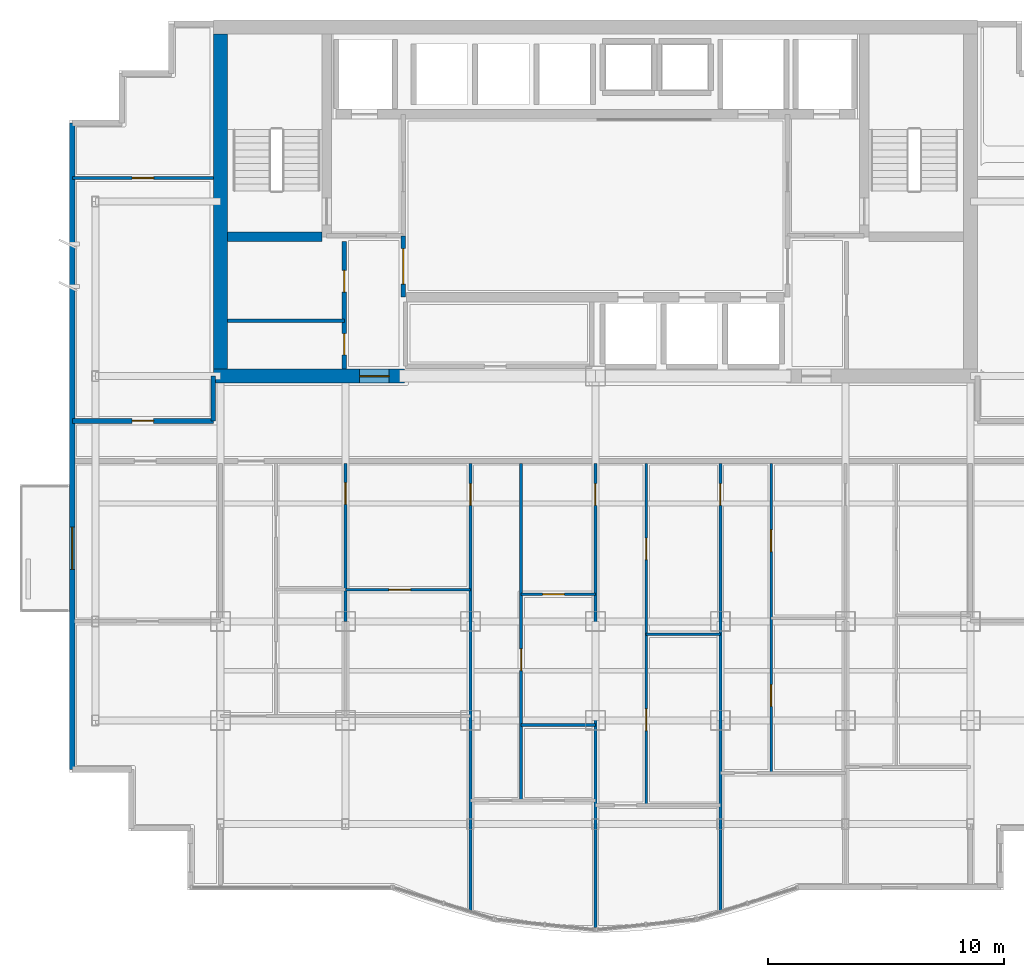
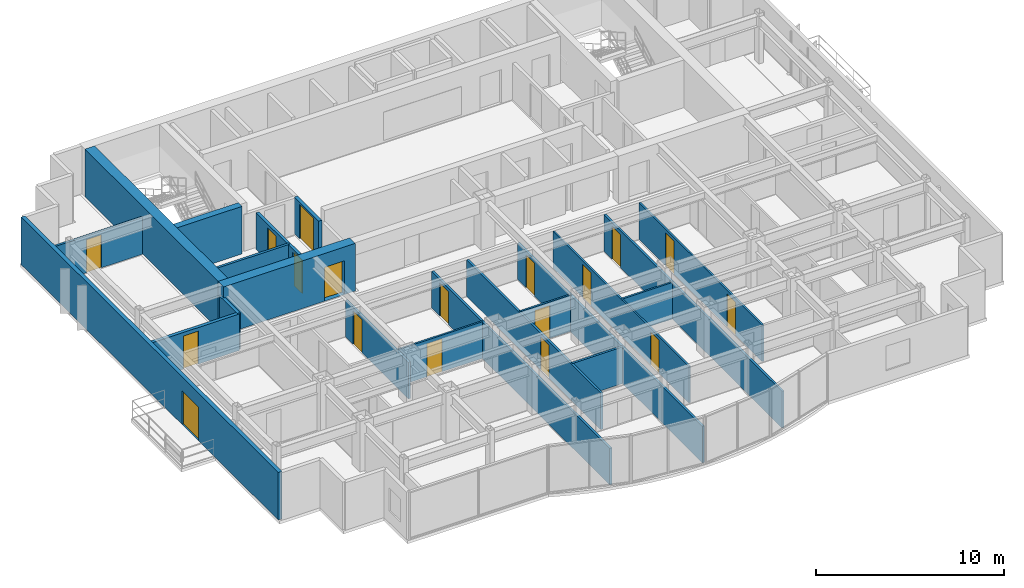
# One storey, part 6 of 11: 21 walls, 18 doors, 18 openings.
"""IFC4 building model written with IfcOpenShell, lengths in metres."""

from ifc_helpers import new_model, si_unit, direction, frame, frame_2d, origin, place, context, subcontext, project, spatial, rectangle, extrude, material, layer, layer_set, type_object, element, fill, save


model = new_model("IFC4")

# Units and contexts
model_context = context("Model", 3, precision=1e-05, world=origin(), true_north=direction((0.0, 1.0)))
body_context = subcontext(model_context, "Body", "Model", "MODEL_VIEW")
ifc_project = project(units=[si_unit("LENGTHUNIT", "METRE"), si_unit("AREAUNIT", "SQUARE_METRE"), si_unit("VOLUMEUNIT", "CUBIC_METRE"), si_unit("PLANEANGLEUNIT", "RADIAN"), si_unit("MASSUNIT", "GRAM", prefix="KILO")], contexts=[model_context])

# Site, building, storey
site_placement = place(None, origin())
site = spatial("IfcSite", under=ifc_project, at=site_placement, CompositionType="ELEMENT")
building_placement = place(site_placement, origin())
building = spatial("IfcBuilding", under=site, at=building_placement, Name="Qianlan Lanfeng Residences", CompositionType="ELEMENT")
storey_placement = place(building_placement, frame((0.0, 0.0, 175.5)))
storey = spatial("IfcBuildingStorey", under=building, at=storey_placement, Name="L48", CompositionType="ELEMENT", Elevation=175.5)

# Walls
ifc_material_1 = material(Name="Concrete C56", Category="concrete")
ifc_layer_1 = layer(ifc_material_1, 0.39990234375)
ifc_layer_set_1 = layer_set([ifc_layer_1], Name="Concrete C56")
wall_type_1 = type_object("IfcWallType", Name="CW-RC-400", PredefinedType="SHEAR", material=ifc_layer_set_1)
wall_1_placement = place(storey_placement, frame((10.89990234375, 31.10009765625, 0.0), z_axis=(0.0, 0.0, 1.0), x_axis=(1.0, 0.0, 0.0)))
element("IfcWall", 1, at=wall_1_placement, inside=storey, type_object=wall_type_1, Name="L48 Core Shear Wall ST1S", PredefinedType="SHEAR", context=body_context, shape_type="SweptSolid", body=[
    extrude(rectangle(XDim=4.0, YDim=0.39990234375, at=frame_2d((2.0, 0.0))), origin(), (0.0, 0.0, 1.0), 3.10009765625),
])
ifc_layer_2 = layer(ifc_material_1, 0.60009765625)
ifc_layer_set_2 = layer_set([ifc_layer_2], Name="Concrete C56")
wall_type_2 = type_object("IfcWallType", Name="CW-RC-600", PredefinedType="SHEAR", material=ifc_layer_set_2)
wall_2_placement = place(storey_placement, frame((10.60009765625, 25.5, 0.0), z_axis=(0.0, 0.0, 1.0), x_axis=(0.0, 1.0, 0.0)))
element("IfcWall", 2, at=wall_2_placement, inside=storey, type_object=wall_type_2, Name="L48 Core Shear Wall W", PredefinedType="SHEAR", context=body_context, shape_type="SweptSolid", body=[
    extrude(rectangle(XDim=14.199951171875, YDim=0.60009765625, at=frame_2d((7.10009765625, 0.0))), origin(), (0.0, 0.0, 1.0), 3.10009765625),
])

# Wall, opening, door
wall_3_placement = place(storey_placement, frame((10.300048828125, 25.199951171875, 0.0), z_axis=(0.0, 0.0, 1.0), x_axis=(1.0, 0.0, 0.0)))
wall_3 = element("IfcWall", 3, at=wall_3_placement, inside=storey, type_object=wall_type_2, Name="L48 Core Shear Wall SW", PredefinedType="SHEAR", context=body_context, shape_type="SweptSolid", body=[
    extrude(rectangle(XDim=8.099853515625, YDim=0.60009765625, at=frame_2d((4.0498046875, 0.0))), origin(), (0.0, 0.0, 1.0), 3.10009765625),
])
opening_1_placement = place(wall_3_placement, frame((6.199951171875, 0.0, 0.0)))
opening_1 = element("IfcOpeningElement", 4, at=opening_1_placement, cuts=wall_3, Name="Opening L48-D01", PredefinedType="OPENING", context=body_context, shape_type="SweptSolid", body=[
    extrude(rectangle(XDim=1.25, YDim=2.199951171875, at=frame_2d((0.625, 1.10009765625))), frame((0.0, 0.31005859375, 0.0), z_axis=(0.0, -1.0, 0.0), x_axis=(1.0, 0.0, 0.0)), (0.0, 0.0, 1.0), 0.6201171875),
])
ifc_material_2 = material(Name="Painted Galvanised Steel Fire Door", Category="steel")
door_type_1 = type_object("IfcDoorType", Name="DT-FFL", OperationType="NOTDEFINED", PredefinedType="DOOR", material=ifc_material_2)
door_1_placement = place(opening_1_placement, origin())
door_1 = element("IfcDoor", 5, at=door_1_placement, inside=storey, type_object=door_type_1, Name="L48 West Core Lobby Smoke Door L48-D01 (DT-FFL)", OperationType="SINGLE_SWING_RIGHT", OverallHeight=2.199951171875, OverallWidth=1.25, PredefinedType="DOOR", context=body_context, shape_type="SweptSolid", body=[
    extrude(rectangle(XDim=1.25, YDim=2.199951171875, at=frame_2d((0.625, 1.10009765625))), frame((0.0, 0.02490234375, 0.0), z_axis=(0.0, -1.0, 0.0), x_axis=(1.0, 0.0, 0.0)), (0.0, 0.0, 1.0), 0.050048828125),
])
fill(opening_1, door_1)

ifc_material_3 = material(Name="Concrete C42", Category="concrete")
ifc_layer_3 = layer(ifc_material_3, 0.239990234375)
ifc_layer_set_3 = layer_set([ifc_layer_3], Name="Concrete C42")
wall_type_3 = type_object("IfcWallType", Name="EW-240", PredefinedType="SOLIDWALL", material=ifc_layer_set_3)
wall_4_placement = place(storey_placement, frame((4.320068359375, 35.929931640625, 0.0), z_axis=(0.0, 0.0, 1.0), x_axis=(0.0, -1.0, 0.0)))
wall_4 = element("IfcWall", 6, at=wall_4_placement, inside=storey, type_object=wall_type_3, Name="L48 Terrace/Balcony Access Exterior Wall 21", PredefinedType="SOLIDWALL", context=body_context, shape_type="SweptSolid", body=[
    extrude(rectangle(XDim=27.409912109375, YDim=0.239990234375, at=frame_2d((13.705078125, 0.0))), origin(), (0.0, 0.0, 1.0), 3.10009765625),
])
opening_2_placement = place(wall_4_placement, frame((17.1298828125, 0.0, 0.0)))
opening_2 = element("IfcOpeningElement", 7, at=opening_2_placement, cuts=wall_4, Name="Opening L48-D-WB-S", PredefinedType="OPENING", context=body_context, shape_type="SweptSolid", body=[
    extrude(rectangle(XDim=1.800048828125, YDim=2.199951171875, at=frame_2d((0.89990234375, 1.10009765625))), frame((0.0, 0.1298828125, 0.0), z_axis=(0.0, -1.0, 0.0), x_axis=(1.0, 0.0, 0.0)), (0.0, 0.0, 1.0), 0.260009765625),
])
ifc_material_4 = material(Name="Anodised Bronze Aluminium Framed Glass", Category="aluminium")
door_type_2 = type_object("IfcDoorType", Name="DT-BAL1", OperationType="NOTDEFINED", PredefinedType="DOOR", material=ifc_material_4)
door_2_placement = place(opening_2_placement, frame((1.800048828125, 0.0, 0.0), z_axis=(0.0, 0.0, 1.0), x_axis=(-1.0, 0.0, 0.0)))
door_2 = element("IfcDoor", 8, at=door_2_placement, inside=storey, type_object=door_type_2, Name="L48 Exterior Access Door WB-S", OperationType="DOUBLE_DOOR_SLIDING", OverallHeight=2.199951171875, OverallWidth=1.800048828125, PredefinedType="DOOR", context=body_context, shape_type="SweptSolid", body=[
    extrude(rectangle(XDim=1.800048828125, YDim=2.199951171875, at=frame_2d((0.89990234375, 1.10009765625))), frame((0.0, 0.02490234375, 0.0), z_axis=(0.0, -1.0, 0.0), x_axis=(1.0, 0.0, 0.0)), (0.0, 0.0, 1.0), 0.050048828125),
])
fill(opening_2, door_2)

ifc_material_5 = material(Name="Demountable Acoustic Framing Partition 110 mm")
ifc_layer_4 = layer(ifc_material_5, 0.110107421875)
ifc_layer_set_4 = layer_set([ifc_layer_4], Name="Demountable Acoustic Framing Partition 110 mm")
wall_type_4 = type_object("IfcWallType", Name="PW-110", PredefinedType="MOVABLE", material=ifc_layer_set_4)
wall_5_placement = place(storey_placement, frame((15.89990234375, 16.14501953125, 0.0), z_axis=(0.0, 0.0, 1.0), x_axis=(1.0, 0.0, 0.0)))
wall_5 = element("IfcWall", 9, at=wall_5_placement, inside=storey, type_object=wall_type_4, Name="L48 U01 Study Split", PredefinedType="MOVABLE", context=body_context, shape_type="SweptSolid", body=[
    extrude(rectangle(XDim=5.300048828125, YDim=0.110107421875, at=frame_2d((2.64990234375, 0.0))), origin(), (0.0, 0.0, 1.0), 2.3798828125),
])
opening_3_placement = place(wall_5_placement, frame((1.840087890625, 0.0, 0.0)))
opening_3 = element("IfcOpeningElement", 10, at=opening_3_placement, cuts=wall_5, Name="Opening L48-D24", PredefinedType="OPENING", context=body_context, shape_type="SweptSolid", body=[
    extrude(rectangle(XDim=0.919921875, YDim=2.14990234375, at=frame_2d((0.4599609375, 1.074951171875))), frame((0.0, 0.06494140625, 0.0), z_axis=(0.0, -1.0, 0.0), x_axis=(1.0, 0.0, 0.0)), (0.0, 0.0, 1.0), 0.130126953125),
])
ifc_material_6 = material(Name="Glazed Timber Kitchen/Study Door", Category="wood")
door_type_3 = type_object("IfcDoorType", Name="DT-INT", OperationType="NOTDEFINED", PredefinedType="DOOR", material=ifc_material_6)
door_3_placement = place(opening_3_placement, origin())
door_3 = element("IfcDoor", 11, at=door_3_placement, inside=storey, type_object=door_type_3, Name="L48 U01 Study Inner Door L48-D24 (DT-INT)", OperationType="SINGLE_SWING_LEFT", OverallHeight=2.14990234375, OverallWidth=0.919921875, PredefinedType="DOOR", context=body_context, shape_type="SweptSolid", body=[
    extrude(rectangle(XDim=0.919921875, YDim=2.14990234375, at=frame_2d((0.4599609375, 1.074951171875))), frame((0.0, 0.02490234375, 0.0), z_axis=(0.0, -1.0, 0.0), x_axis=(1.0, 0.0, 0.0)), (0.0, 0.0, 1.0), 0.050048828125),
])
fill(opening_3, door_3)

wall_6_placement = place(storey_placement, frame((23.35009765625, 15.949951171875, 0.0), z_axis=(0.0, 0.0, 1.0), x_axis=(1.0, 0.0, 0.0)))
wall_6 = element("IfcWall", 12, at=wall_6_placement, inside=storey, type_object=wall_type_4, Name="L48 U01 Wardrobe Split", PredefinedType="MOVABLE", context=body_context, shape_type="SweptSolid", body=[
    extrude(rectangle(XDim=3.14990234375, YDim=0.110107421875, at=frame_2d((1.574951171875, 0.0))), origin(), (0.0, 0.0, 1.0), 2.3798828125),
])
opening_4_placement = place(wall_6_placement, frame((0.9150390625, 0.0, 0.0)))
opening_4 = element("IfcOpeningElement", 13, at=opening_4_placement, cuts=wall_6, Name="Opening L48-D28", PredefinedType="OPENING", context=body_context, shape_type="SweptSolid", body=[
    extrude(rectangle(XDim=0.919921875, YDim=2.14990234375, at=frame_2d((0.4599609375, 1.074951171875))), frame((0.0, 0.06494140625, 0.0), z_axis=(0.0, -1.0, 0.0), x_axis=(1.0, 0.0, 0.0)), (0.0, 0.0, 1.0), 0.130126953125),
])
door_4_placement = place(opening_4_placement, origin())
door_4 = element("IfcDoor", 14, at=door_4_placement, inside=storey, type_object=door_type_3, Name="L48 U01 Dressing Inner Door L48-D28 (DT-INT)", OperationType="SINGLE_SWING_LEFT", OverallHeight=2.14990234375, OverallWidth=0.919921875, PredefinedType="DOOR", context=body_context, shape_type="SweptSolid", body=[
    extrude(rectangle(XDim=0.919921875, YDim=2.14990234375, at=frame_2d((0.4599609375, 1.074951171875))), frame((0.0, 0.02490234375, 0.0), z_axis=(0.0, -1.0, 0.0), x_axis=(1.0, 0.0, 0.0)), (0.0, 0.0, 1.0), 0.050048828125),
])
fill(opening_4, door_4)

# Wall, openings, doors
wall_7_placement = place(storey_placement, frame((28.64990234375, 6.9990234375, 0.0), z_axis=(0.0, 0.0, 1.0), x_axis=(0.0, 1.0, 0.0)))
wall_7 = element("IfcWall", 15, at=wall_7_placement, inside=storey, type_object=wall_type_4, Name="L48 U01 Bedroom 3 Hall Wall", PredefinedType="MOVABLE", context=body_context, shape_type="SweptSolid", body=[
    extrude(rectangle(XDim=14.5009765625, YDim=0.110107421875, at=frame_2d((7.25048828125, 0.0))), origin(), (0.0, 0.0, 1.0), 2.3798828125),
])
opening_5_placement = place(wall_7_placement, frame((3.1650390625, 0.0, 0.0)))
opening_5 = element("IfcOpeningElement", 16, at=opening_5_placement, cuts=wall_7, Name="Opening L48-D30", PredefinedType="OPENING", context=body_context, shape_type="SweptSolid", body=[
    extrude(rectangle(XDim=0.919921875, YDim=2.14990234375, at=frame_2d((0.4599609375, 1.074951171875))), frame((0.0, 0.06494140625, 0.0), z_axis=(0.0, -1.0, 0.0), x_axis=(1.0, 0.0, 0.0)), (0.0, 0.0, 1.0), 0.130126953125),
])
opening_6_placement = place(wall_7_placement, frame((10.4150390625, 0.0, 0.0)))
opening_6 = element("IfcOpeningElement", 17, at=opening_6_placement, cuts=wall_7, Name="Opening L48-D31", PredefinedType="OPENING", context=body_context, shape_type="SweptSolid", body=[
    extrude(rectangle(XDim=0.919921875, YDim=2.14990234375, at=frame_2d((0.4599609375, 1.074951171875))), frame((0.0, 0.06494140625, 0.0), z_axis=(0.0, -1.0, 0.0), x_axis=(1.0, 0.0, 0.0)), (0.0, 0.0, 1.0), 0.130126953125),
])
door_5_placement = place(opening_5_placement, origin())
door_5 = element("IfcDoor", 18, at=door_5_placement, inside=storey, type_object=door_type_3, Name="L48 U01 Utility Door L48-D30 (DT-INT)", OperationType="SINGLE_SWING_LEFT", OverallHeight=2.14990234375, OverallWidth=0.919921875, PredefinedType="DOOR", context=body_context, shape_type="SweptSolid", body=[
    extrude(rectangle(XDim=0.919921875, YDim=2.14990234375, at=frame_2d((0.4599609375, 1.074951171875))), frame((0.0, 0.02490234375, 0.0), z_axis=(0.0, -1.0, 0.0), x_axis=(1.0, 0.0, 0.0)), (0.0, 0.0, 1.0), 0.050048828125),
])
fill(opening_5, door_5)
door_6_placement = place(opening_6_placement, origin())
door_6 = element("IfcDoor", 19, at=door_6_placement, inside=storey, type_object=door_type_3, Name="L48 U01 Specialty Door L48-D31 (DT-INT)", OperationType="SINGLE_SWING_RIGHT", OverallHeight=2.14990234375, OverallWidth=0.919921875, PredefinedType="DOOR", context=body_context, shape_type="SweptSolid", body=[
    extrude(rectangle(XDim=0.919921875, YDim=2.14990234375, at=frame_2d((0.4599609375, 1.074951171875))), frame((0.0, 0.02490234375, 0.0), z_axis=(0.0, -1.0, 0.0), x_axis=(1.0, 0.0, 0.0)), (0.0, 0.0, 1.0), 0.050048828125),
])
fill(opening_6, door_6)

# Wall
wall_8_placement = place(storey_placement, frame((28.64990234375, 14.2490234375, 0.0), z_axis=(0.0, 0.0, 1.0), x_axis=(1.0, 0.0, 0.0)))
element("IfcWall", 20, at=wall_8_placement, inside=storey, type_object=wall_type_4, Name="L48 U01 Specialty Split Wall", PredefinedType="MOVABLE", context=body_context, shape_type="SweptSolid", body=[
    extrude(rectangle(XDim=3.150146484375, YDim=0.110107421875, at=frame_2d((1.5751953125, 0.0))), origin(), (0.0, 0.0, 1.0), 2.3798828125),
])

# Wall, openings, doors
wall_9_placement = place(storey_placement, frame((33.949951171875, 8.3740234375, 0.0), z_axis=(0.0, 0.0, 1.0), x_axis=(0.0, 1.0, 0.0)))
wall_9 = element("IfcWall", 21, at=wall_9_placement, inside=storey, type_object=wall_type_4, Name="L48 U01 Bedroom 4 Hall Wall", PredefinedType="MOVABLE", context=body_context, shape_type="SweptSolid", body=[
    extrude(rectangle(XDim=13.1259765625, YDim=0.110107421875, at=frame_2d((6.56298828125, 0.0))), origin(), (0.0, 0.0, 1.0), 2.3798828125),
])
opening_7_placement = place(wall_9_placement, frame((2.821044921875, 0.0, 0.0)))
opening_7 = element("IfcOpeningElement", 22, at=opening_7_placement, cuts=wall_9, Name="Opening L48-D33", PredefinedType="OPENING", context=body_context, shape_type="SweptSolid", body=[
    extrude(rectangle(XDim=0.919921875, YDim=2.14990234375, at=frame_2d((0.4599609375, 1.074951171875))), frame((0.0, 0.06494140625, 0.0), z_axis=(0.0, -1.0, 0.0), x_axis=(1.0, 0.0, 0.0)), (0.0, 0.0, 1.0), 0.130126953125),
])
opening_8_placement = place(wall_9_placement, frame((9.385009765625, 0.0, 0.0)))
opening_8 = element("IfcOpeningElement", 23, at=opening_8_placement, cuts=wall_9, Name="Opening L48-D34", PredefinedType="OPENING", context=body_context, shape_type="SweptSolid", body=[
    extrude(rectangle(XDim=0.919921875, YDim=2.14990234375, at=frame_2d((0.4599609375, 1.074951171875))), frame((0.0, 0.06494140625, 0.0), z_axis=(0.0, -1.0, 0.0), x_axis=(1.0, 0.0, 0.0)), (0.0, 0.0, 1.0), 0.130126953125),
])
door_7_placement = place(opening_7_placement, origin())
door_7 = element("IfcDoor", 24, at=door_7_placement, inside=storey, type_object=door_type_3, Name="L48 U01 Utility Door L48-D33 (DT-INT)", OperationType="SINGLE_SWING_RIGHT", OverallHeight=2.14990234375, OverallWidth=0.919921875, PredefinedType="DOOR", context=body_context, shape_type="SweptSolid", body=[
    extrude(rectangle(XDim=0.919921875, YDim=2.14990234375, at=frame_2d((0.4599609375, 1.074951171875))), frame((0.0, 0.02490234375, 0.0), z_axis=(0.0, -1.0, 0.0), x_axis=(1.0, 0.0, 0.0)), (0.0, 0.0, 1.0), 0.050048828125),
])
fill(opening_7, door_7)
door_8_placement = place(opening_8_placement, origin())
door_8 = element("IfcDoor", 25, at=door_8_placement, inside=storey, type_object=door_type_3, Name="L48 U01 Specialty Door L48-D34 (DT-INT)", OperationType="SINGLE_SWING_LEFT", OverallHeight=2.14990234375, OverallWidth=0.919921875, PredefinedType="DOOR", context=body_context, shape_type="SweptSolid", body=[
    extrude(rectangle(XDim=0.919921875, YDim=2.14990234375, at=frame_2d((0.4599609375, 1.074951171875))), frame((0.0, 0.02490234375, 0.0), z_axis=(0.0, -1.0, 0.0), x_axis=(1.0, 0.0, 0.0)), (0.0, 0.0, 1.0), 0.050048828125),
])
fill(opening_8, door_8)

# Wall, opening, door
ifc_material_7 = material(Name="Moisture-Resistant Gypsum Partition 135 mm")
ifc_layer_5 = layer(ifc_material_7, 0.135009765625)
ifc_layer_set_5 = layer_set([ifc_layer_5], Name="Moisture-Resistant Gypsum Partition 135 mm")
wall_type_5 = type_object("IfcWallType", Name="PW-135", PredefinedType="PARTITIONING", material=ifc_layer_set_5)
wall_10_placement = place(storey_placement, frame((15.89990234375, 14.800048828125, 0.0), z_axis=(0.0, 0.0, 1.0), x_axis=(0.0, 1.0, 0.0)))
wall_10 = element("IfcWall", 26, at=wall_10_placement, inside=storey, type_object=wall_type_5, Name="L48 U01 North Spine Wall", PredefinedType="PARTITIONING", context=body_context, shape_type="SweptSolid", body=[
    extrude(rectangle(XDim=6.699951171875, YDim=0.135009765625, at=frame_2d((3.35009765625, 0.0))), origin(), (0.0, 0.0, 1.0), 2.3798828125),
])
opening_9_placement = place(wall_10_placement, frame((4.965087890625, 0.0, 0.0)))
opening_9 = element("IfcOpeningElement", 27, at=opening_9_placement, cuts=wall_10, Name="Opening L48-D16", PredefinedType="OPENING", context=body_context, shape_type="SweptSolid", body=[
    extrude(rectangle(XDim=0.919921875, YDim=2.14990234375, at=frame_2d((0.4599609375, 1.074951171875))), frame((0.0, 0.07763671875, 0.0), z_axis=(0.0, -1.0, 0.0), x_axis=(1.0, 0.0, 0.0)), (0.0, 0.0, 1.0), 0.155029296875),
])
door_9_placement = place(opening_9_placement, origin())
door_9 = element("IfcDoor", 28, at=door_9_placement, inside=storey, type_object=door_type_3, Name="L48 U01 North Suite Door L48-D16 (DT-INT)", OperationType="SINGLE_SWING_LEFT", OverallHeight=2.14990234375, OverallWidth=0.919921875, PredefinedType="DOOR", context=body_context, shape_type="SweptSolid", body=[
    extrude(rectangle(XDim=0.919921875, YDim=2.14990234375, at=frame_2d((0.4599609375, 1.074951171875))), frame((0.0, 0.02490234375, 0.0), z_axis=(0.0, -1.0, 0.0), x_axis=(1.0, 0.0, 0.0)), (0.0, 0.0, 1.0), 0.050048828125),
])
fill(opening_9, door_9)

wall_11_placement = place(storey_placement, frame((21.199951171875, 2.508056640625, 0.0), z_axis=(0.0, 0.0, 1.0), x_axis=(0.0, 1.0, 0.0)))
wall_11 = element("IfcWall", 29, at=wall_11_placement, inside=storey, type_object=wall_type_5, Name="L48 U01 Bay Spine Wall 2", PredefinedType="PARTITIONING", context=body_context, shape_type="SweptSolid", body=[
    extrude(rectangle(XDim=18.991943359375, YDim=0.135009765625, at=frame_2d((9.49609375, 0.0))), origin(), (0.0, 0.0, 1.0), 2.3798828125),
])
opening_10_placement = place(wall_11_placement, frame((17.20703125, 0.0, 0.0)))
opening_10 = element("IfcOpeningElement", 30, at=opening_10_placement, cuts=wall_11, Name="Opening L48-D17", PredefinedType="OPENING", context=body_context, shape_type="SweptSolid", body=[
    extrude(rectangle(XDim=0.919921875, YDim=2.14990234375, at=frame_2d((0.4599609375, 1.074951171875))), frame((0.0, 0.07763671875, 0.0), z_axis=(0.0, -1.0, 0.0), x_axis=(1.0, 0.0, 0.0)), (0.0, 0.0, 1.0), 0.155029296875),
])
door_10_placement = place(opening_10_placement, origin())
door_10 = element("IfcDoor", 31, at=door_10_placement, inside=storey, type_object=door_type_3, Name="L48 U01 Internal Hall Door L48-D17 (DT-INT)", OperationType="SINGLE_SWING_RIGHT", OverallHeight=2.14990234375, OverallWidth=0.919921875, PredefinedType="DOOR", context=body_context, shape_type="SweptSolid", body=[
    extrude(rectangle(XDim=0.919921875, YDim=2.14990234375, at=frame_2d((0.4599609375, 1.074951171875))), frame((0.0, 0.02490234375, 0.0), z_axis=(0.0, -1.0, 0.0), x_axis=(1.0, 0.0, 0.0)), (0.0, 0.0, 1.0), 0.050048828125),
])
fill(opening_10, door_10)

wall_12_placement = place(storey_placement, frame((26.5, 1.820068359375, 0.0), z_axis=(0.0, 0.0, 1.0), x_axis=(0.0, 1.0, 0.0)))
wall_12 = element("IfcWall", 32, at=wall_12_placement, inside=storey, type_object=wall_type_5, Name="L48 U01 Bay Spine Wall 3", PredefinedType="PARTITIONING", context=body_context, shape_type="SweptSolid", body=[
    extrude(rectangle(XDim=19.679931640625, YDim=0.135009765625, at=frame_2d((9.83984375, 0.0))), origin(), (0.0, 0.0, 1.0), 2.3798828125),
])
opening_11_placement = place(wall_12_placement, frame((17.89501953125, 0.0, 0.0)))
opening_11 = element("IfcOpeningElement", 33, at=opening_11_placement, cuts=wall_12, Name="Opening L48-D18", PredefinedType="OPENING", context=body_context, shape_type="SweptSolid", body=[
    extrude(rectangle(XDim=0.919921875, YDim=2.14990234375, at=frame_2d((0.4599609375, 1.074951171875))), frame((0.0, 0.07763671875, 0.0), z_axis=(0.0, -1.0, 0.0), x_axis=(1.0, 0.0, 0.0)), (0.0, 0.0, 1.0), 0.155029296875),
])
door_11_placement = place(opening_11_placement, origin())
door_11 = element("IfcDoor", 34, at=door_11_placement, inside=storey, type_object=door_type_3, Name="L48 U01 Internal Hall Door L48-D18 (DT-INT)", OperationType="SINGLE_SWING_LEFT", OverallHeight=2.14990234375, OverallWidth=0.919921875, PredefinedType="DOOR", context=body_context, shape_type="SweptSolid", body=[
    extrude(rectangle(XDim=0.919921875, YDim=2.14990234375, at=frame_2d((0.4599609375, 1.074951171875))), frame((0.0, 0.02490234375, 0.0), z_axis=(0.0, -1.0, 0.0), x_axis=(1.0, 0.0, 0.0)), (0.0, 0.0, 1.0), 0.050048828125),
])
fill(opening_11, door_11)

wall_13_placement = place(storey_placement, frame((31.800048828125, 2.509033203125, 0.0), z_axis=(0.0, 0.0, 1.0), x_axis=(0.0, 1.0, 0.0)))
wall_13 = element("IfcWall", 35, at=wall_13_placement, inside=storey, type_object=wall_type_5, Name="L48 U01 Bay Spine Wall 4", PredefinedType="PARTITIONING", context=body_context, shape_type="SweptSolid", body=[
    extrude(rectangle(XDim=18.990966796875, YDim=0.135009765625, at=frame_2d((9.49560546875, 0.0))), origin(), (0.0, 0.0, 1.0), 2.3798828125),
])
opening_12_placement = place(wall_13_placement, frame((17.2060546875, 0.0, 0.0)))
opening_12 = element("IfcOpeningElement", 36, at=opening_12_placement, cuts=wall_13, Name="Opening L48-D19", PredefinedType="OPENING", context=body_context, shape_type="SweptSolid", body=[
    extrude(rectangle(XDim=0.919921875, YDim=2.14990234375, at=frame_2d((0.4599609375, 1.074951171875))), frame((0.0, 0.07763671875, 0.0), z_axis=(0.0, -1.0, 0.0), x_axis=(1.0, 0.0, 0.0)), (0.0, 0.0, 1.0), 0.155029296875),
])
door_12_placement = place(opening_12_placement, origin())
door_12 = element("IfcDoor", 37, at=door_12_placement, inside=storey, type_object=door_type_3, Name="L48 U01 Internal Hall Door L48-D19 (DT-INT)", OperationType="SINGLE_SWING_RIGHT", OverallHeight=2.14990234375, OverallWidth=0.919921875, PredefinedType="DOOR", context=body_context, shape_type="SweptSolid", body=[
    extrude(rectangle(XDim=0.919921875, YDim=2.14990234375, at=frame_2d((0.4599609375, 1.074951171875))), frame((0.0, 0.02490234375, 0.0), z_axis=(0.0, -1.0, 0.0), x_axis=(1.0, 0.0, 0.0)), (0.0, 0.0, 1.0), 0.050048828125),
])
fill(opening_12, door_12)

wall_14_placement = place(storey_placement, frame((23.35009765625, 7.198974609375, 0.0), z_axis=(0.0, 0.0, 1.0), x_axis=(0.0, 1.0, 0.0)))
wall_14 = element("IfcWall", 38, at=wall_14_placement, inside=storey, type_object=wall_type_5, Name="L48 U01 Master Passage Wall", PredefinedType="PARTITIONING", context=body_context, shape_type="SweptSolid", body=[
    extrude(rectangle(XDim=14.301025390625, YDim=0.135009765625, at=frame_2d((7.150390625, 0.0))), origin(), (0.0, 0.0, 1.0), 2.3798828125),
])
opening_13_placement = place(wall_14_placement, frame((5.51611328125, 0.0, 0.0)))
opening_13 = element("IfcOpeningElement", 39, at=opening_13_placement, cuts=wall_14, Name="Opening L48-D27", PredefinedType="OPENING", context=body_context, shape_type="SweptSolid", body=[
    extrude(rectangle(XDim=0.919921875, YDim=2.14990234375, at=frame_2d((0.4599609375, 1.074951171875))), frame((0.0, 0.07763671875, 0.0), z_axis=(0.0, -1.0, 0.0), x_axis=(1.0, 0.0, 0.0)), (0.0, 0.0, 1.0), 0.155029296875),
])
door_13_placement = place(opening_13_placement, origin())
door_13 = element("IfcDoor", 40, at=door_13_placement, inside=storey, type_object=door_type_3, Name="L48 U01 Wardrobe Door L48-D27 (DT-INT)", OperationType="SINGLE_SWING_RIGHT", OverallHeight=2.14990234375, OverallWidth=0.919921875, PredefinedType="DOOR", context=body_context, shape_type="SweptSolid", body=[
    extrude(rectangle(XDim=0.919921875, YDim=2.14990234375, at=frame_2d((0.4599609375, 1.074951171875))), frame((0.0, 0.02490234375, 0.0), z_axis=(0.0, -1.0, 0.0), x_axis=(1.0, 0.0, 0.0)), (0.0, 0.0, 1.0), 0.050048828125),
])
fill(opening_13, door_13)

# Wall
wall_15_placement = place(storey_placement, frame((23.35009765625, 10.39892578125, 0.0), z_axis=(0.0, 0.0, 1.0), x_axis=(1.0, 0.0, 0.0)))
element("IfcWall", 41, at=wall_15_placement, inside=storey, type_object=wall_type_5, Name="L48 U01 En-Suite North Wall", PredefinedType="PARTITIONING", context=body_context, shape_type="SweptSolid", body=[
    extrude(rectangle(XDim=3.14990234375, YDim=0.135009765625, at=frame_2d((1.574951171875, 0.0))), origin(), (0.0, 0.0, 1.0), 2.3798828125),
])

# Wall, opening, door
wall_16_placement = place(storey_placement, frame((4.320068359375, 33.60009765625, 0.0), z_axis=(0.0, 0.0, 1.0), x_axis=(1.0, 0.0, 0.0)))
wall_16 = element("IfcWall", 42, at=wall_16_placement, inside=storey, type_object=wall_type_5, Name="L48 WW North Wing Wall", PredefinedType="PARTITIONING", context=body_context, shape_type="SweptSolid", body=[
    extrude(rectangle(XDim=5.97998046875, YDim=0.135009765625, at=frame_2d((2.989990234375, 0.0))), origin(), (0.0, 0.0, 1.0), 2.3798828125),
])
opening_14_placement = place(wall_16_placement, frame((2.530029296875, 0.0, 0.0)))
opening_14 = element("IfcOpeningElement", 43, at=opening_14_placement, cuts=wall_16, Name="Opening L48-D42", PredefinedType="OPENING", context=body_context, shape_type="SweptSolid", body=[
    extrude(rectangle(XDim=0.919921875, YDim=2.14990234375, at=frame_2d((0.4599609375, 1.074951171875))), frame((0.0, 0.07763671875, 0.0), z_axis=(0.0, -1.0, 0.0), x_axis=(1.0, 0.0, 0.0)), (0.0, 0.0, 1.0), 0.155029296875),
])
door_14_placement = place(opening_14_placement, origin())
door_14 = element("IfcDoor", 44, at=door_14_placement, inside=storey, type_object=door_type_3, Name="L48 WW Inner Salon Door L48-D42 (DT-INT)", OperationType="SINGLE_SWING_LEFT", OverallHeight=2.14990234375, OverallWidth=0.919921875, PredefinedType="DOOR", context=body_context, shape_type="SweptSolid", body=[
    extrude(rectangle(XDim=0.919921875, YDim=2.14990234375, at=frame_2d((0.4599609375, 1.074951171875))), frame((0.0, 0.02490234375, 0.0), z_axis=(0.0, -1.0, 0.0), x_axis=(1.0, 0.0, 0.0)), (0.0, 0.0, 1.0), 0.050048828125),
])
fill(opening_14, door_14)

# Wall
ifc_material_8 = material(Name="Acoustic Drywall Partition 150 mm")
ifc_layer_6 = layer(ifc_material_8, 0.14990234375)
ifc_layer_set_6 = layer_set([ifc_layer_6], Name="Acoustic Drywall Partition 150 mm")
wall_type_6 = type_object("IfcWallType", Name="PW-150", PredefinedType="PARTITIONING", material=ifc_layer_set_6)
wall_17_placement = place(storey_placement, frame((10.89990234375, 27.550048828125, 0.0), z_axis=(0.0, 0.0, 1.0), x_axis=(1.0, 0.0, 0.0)))
element("IfcWall", 45, at=wall_17_placement, inside=storey, type_object=wall_type_6, Name="L48 Core West Split", PredefinedType="PARTITIONING", context=body_context, shape_type="SweptSolid", body=[
    extrude(rectangle(XDim=4.9501953125, YDim=0.14990234375, at=frame_2d((2.47509765625, 0.0))), origin(), (0.0, 0.0, 1.0), 2.3798828125),
])

# Wall, openings, doors
ifc_material_9 = material(Name="Double-Layer Acoustic Gypsum Stud Wall 180 mm")
ifc_layer_7 = layer(ifc_material_9, 0.179931640625)
ifc_layer_set_7 = layer_set([ifc_layer_7], Name="Double-Layer Acoustic Gypsum Stud Wall 180 mm")
wall_type_7 = type_object("IfcWallType", Name="PW-180", PredefinedType="PARTITIONING", material=ifc_layer_set_7)
wall_18_placement = place(storey_placement, frame((15.85009765625, 25.5, 0.0), z_axis=(0.0, 0.0, 1.0), x_axis=(0.0, 1.0, 0.0)))
wall_18 = element("IfcWall", 46, at=wall_18_placement, inside=storey, type_object=wall_type_7, Name="L48 Core West Service Room Wall", PredefinedType="PARTITIONING", context=body_context, shape_type="SweptSolid", body=[
    extrude(rectangle(XDim=5.39990234375, YDim=0.179931640625, at=frame_2d((2.699951171875, 0.0))), origin(), (0.0, 0.0, 1.0), 2.3798828125),
])
opening_15_placement = place(wall_18_placement, frame((0.60009765625, 0.0, 0.0)))
opening_15 = element("IfcOpeningElement", 47, at=opening_15_placement, cuts=wall_18, Name="Opening L48-D09", PredefinedType="OPENING", context=body_context, shape_type="SweptSolid", body=[
    extrude(rectangle(XDim=0.89990234375, YDim=2.14990234375, at=frame_2d((0.449951171875, 1.074951171875))), frame((0.0, 0.10009765625, 0.0), z_axis=(0.0, -1.0, 0.0), x_axis=(1.0, 0.0, 0.0)), (0.0, 0.0, 1.0), 0.199951171875),
])
opening_16_placement = place(wall_18_placement, frame((3.264892578125, 0.0, 0.0)))
opening_16 = element("IfcOpeningElement", 48, at=opening_16_placement, cuts=wall_18, Name="Opening L48-D10", PredefinedType="OPENING", context=body_context, shape_type="SweptSolid", body=[
    extrude(rectangle(XDim=0.919921875, YDim=2.14990234375, at=frame_2d((0.4599609375, 1.074951171875))), frame((0.0, 0.10009765625, 0.0), z_axis=(0.0, -1.0, 0.0), x_axis=(1.0, 0.0, 0.0)), (0.0, 0.0, 1.0), 0.199951171875),
])
door_15_placement = place(opening_16_placement, origin())
door_15 = element("IfcDoor", 49, at=door_15_placement, inside=storey, type_object=door_type_3, Name="L48 Janitor Closet Door L48-D10 (DT-INT)", OperationType="SINGLE_SWING_LEFT", OverallHeight=2.14990234375, OverallWidth=0.919921875, PredefinedType="DOOR", context=body_context, shape_type="SweptSolid", body=[
    extrude(rectangle(XDim=0.919921875, YDim=2.14990234375, at=frame_2d((0.4599609375, 1.074951171875))), frame((0.0, 0.02490234375, 0.0), z_axis=(0.0, -1.0, 0.0), x_axis=(1.0, 0.0, 0.0)), (0.0, 0.0, 1.0), 0.050048828125),
])
fill(opening_16, door_15)
ifc_material_10 = material(Name="Moisture-Resistant Timber Leaf", Category="wood")
door_type_4 = type_object("IfcDoorType", Name="DT-WC", OperationType="NOTDEFINED", PredefinedType="DOOR", material=ifc_material_10)
door_16_placement = place(opening_15_placement, frame((0.89990234375, 0.0, 0.0), z_axis=(0.0, 0.0, 1.0), x_axis=(-1.0, 0.0, 0.0)))
door_16 = element("IfcDoor", 50, at=door_16_placement, inside=storey, type_object=door_type_4, Name="L48 Core Staff WC Door L48-D09 (DT-WC)", OperationType="SINGLE_SWING_RIGHT", OverallHeight=2.14990234375, OverallWidth=0.89990234375, PredefinedType="DOOR", context=body_context, shape_type="SweptSolid", body=[
    extrude(rectangle(XDim=0.89990234375, YDim=2.14990234375, at=frame_2d((0.449951171875, 1.074951171875))), frame((0.0, 0.02490234375, 0.0), z_axis=(0.0, -1.0, 0.0), x_axis=(1.0, 0.0, 0.0)), (0.0, 0.0, 1.0), 0.050048828125),
])
fill(opening_15, door_16)

# Wall, opening, door
ifc_material_11 = material(Name="Autoclaved Aerated Concrete Blockwork 200 mm", Category="masonry")
ifc_layer_8 = layer(ifc_material_11, 0.199951171875)
ifc_layer_set_8 = layer_set([ifc_layer_8], Name="Autoclaved Aerated Concrete Blockwork 200 mm")
wall_type_8 = type_object("IfcWallType", Name="PW-200", PredefinedType="PARTITIONING", material=ifc_layer_set_8)
wall_19_placement = place(storey_placement, frame((18.35009765625, 28.550048828125, 0.0), z_axis=(0.0, 0.0, 1.0), x_axis=(0.0, 1.0, 0.0)))
wall_19 = element("IfcWall", 51, at=wall_19_placement, inside=storey, type_object=wall_type_8, Name="L48 Lift Lobby West Connector Wall", PredefinedType="PARTITIONING", context=body_context, shape_type="SweptSolid", body=[
    extrude(rectangle(XDim=2.599853515625, YDim=0.199951171875, at=frame_2d((1.2998046875, 0.0))), origin(), (0.0, 0.0, 1.0), 2.3798828125),
])
opening_17_placement = place(wall_19_placement, frame((0.550048828125, 0.0, 0.0)))
opening_17 = element("IfcOpeningElement", 52, at=opening_17_placement, cuts=wall_19, Name="Opening L48-D12", PredefinedType="OPENING", context=body_context, shape_type="SweptSolid", body=[
    extrude(rectangle(XDim=1.5, YDim=2.25, at=frame_2d((0.75, 1.125))), frame((0.0, 0.10986328125, 0.0), z_axis=(0.0, -1.0, 0.0), x_axis=(1.0, 0.0, 0.0)), (0.0, 0.0, 1.0), 0.219970703125),
])
ifc_material_12 = material(Name="Timber Veneer Acoustic Fire Door", Category="wood")
door_type_5 = type_object("IfcDoorType", Name="DT-COR1", OperationType="NOTDEFINED", PredefinedType="DOOR", material=ifc_material_12)
door_17_placement = place(opening_17_placement, origin())
door_17 = element("IfcDoor", 53, at=door_17_placement, inside=storey, type_object=door_type_5, Name="L48 Lift Lobby West Portal Door L48-D12 (DT-COR1)", OperationType="DOUBLE_DOOR_SINGLE_SWING", OverallHeight=2.25, OverallWidth=1.5, PredefinedType="DOOR", context=body_context, shape_type="SweptSolid", body=[
    extrude(rectangle(XDim=1.5, YDim=2.25, at=frame_2d((0.75, 1.125))), frame((0.0, 0.02490234375, 0.0), z_axis=(0.0, -1.0, 0.0), x_axis=(1.0, 0.0, 0.0)), (0.0, 0.0, 1.0), 0.050048828125),
])
fill(opening_17, door_17)

wall_20_placement = place(storey_placement, frame((4.320068359375, 23.300048828125, 0.0), z_axis=(0.0, 0.0, 1.0), x_axis=(1.0, 0.0, 0.0)))
wall_20 = element("IfcWall", 54, at=wall_20_placement, inside=storey, type_object=wall_type_8, Name="L48 Corridor NW Wall", PredefinedType="PARTITIONING", context=body_context, shape_type="SweptSolid", body=[
    extrude(rectangle(XDim=5.97998046875, YDim=0.199951171875, at=frame_2d((2.989990234375, 0.0))), origin(), (0.0, 0.0, 1.0), 2.3798828125),
])
opening_18_placement = place(wall_20_placement, frame((2.530029296875, 0.0, 0.0)))
opening_18 = element("IfcOpeningElement", 55, at=opening_18_placement, cuts=wall_20, Name="Opening L48-D43", PredefinedType="OPENING", context=body_context, shape_type="SweptSolid", body=[
    extrude(rectangle(XDim=0.919921875, YDim=2.14990234375, at=frame_2d((0.4599609375, 1.074951171875))), frame((0.0, 0.10986328125, 0.0), z_axis=(0.0, -1.0, 0.0), x_axis=(1.0, 0.0, 0.0)), (0.0, 0.0, 1.0), 0.219970703125),
])
door_18_placement = place(opening_18_placement, origin())
door_18 = element("IfcDoor", 56, at=door_18_placement, inside=storey, type_object=door_type_3, Name="L48 WW Amenity Salon Door L48-D43 (DT-INT)", OperationType="SINGLE_SWING_RIGHT", OverallHeight=2.14990234375, OverallWidth=0.919921875, PredefinedType="DOOR", context=body_context, shape_type="SweptSolid", body=[
    extrude(rectangle(XDim=0.919921875, YDim=2.14990234375, at=frame_2d((0.4599609375, 1.074951171875))), frame((0.0, 0.02490234375, 0.0), z_axis=(0.0, -1.0, 0.0), x_axis=(1.0, 0.0, 0.0)), (0.0, 0.0, 1.0), 0.050048828125),
])
fill(opening_18, door_18)

# Wall
wall_21_placement = place(storey_placement, frame((10.300048828125, 23.300048828125, 0.0), z_axis=(0.0, 0.0, 1.0), x_axis=(0.0, 1.0, 0.0)))
element("IfcWall", 57, at=wall_21_placement, inside=storey, type_object=wall_type_8, Name="L48 NW Wing Core Return Wall", PredefinedType="PARTITIONING", context=body_context, shape_type="SweptSolid", body=[
    extrude(rectangle(XDim=1.89990234375, YDim=0.199951171875, at=frame_2d((0.949951171875, 0.0))), origin(), (0.0, 0.0, 1.0), 2.3798828125),
])

save(model, "model.ifc")
